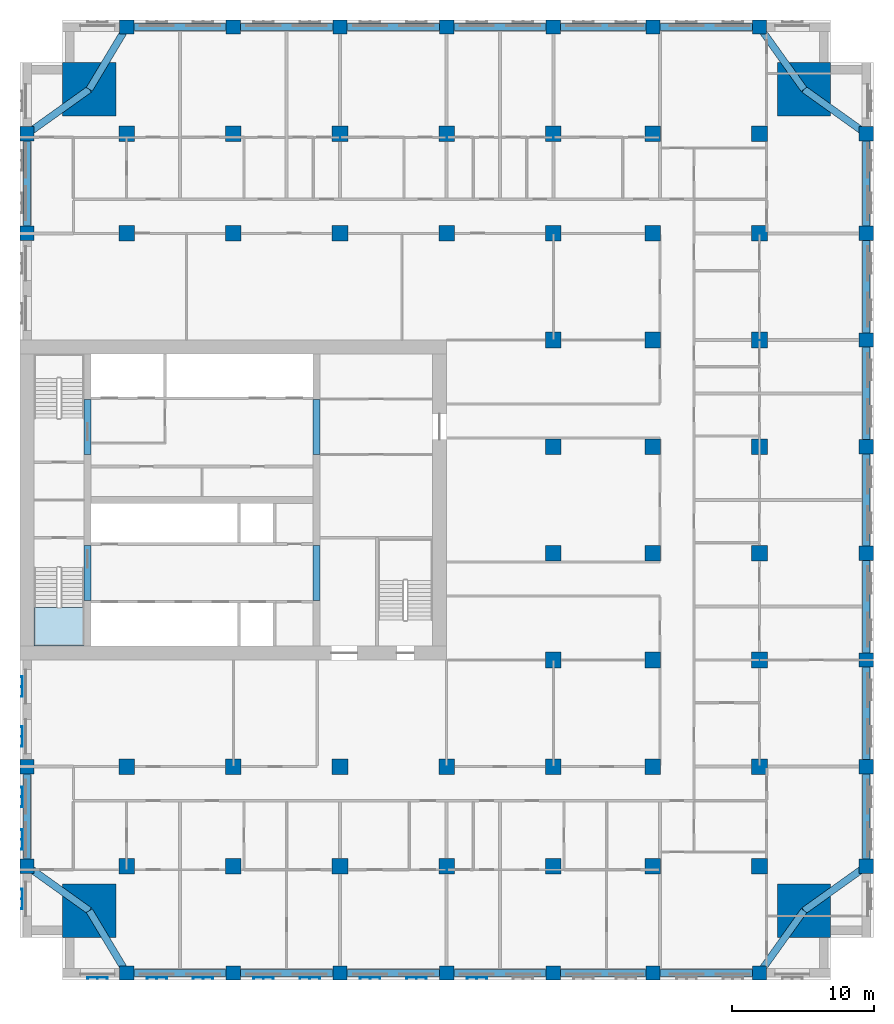
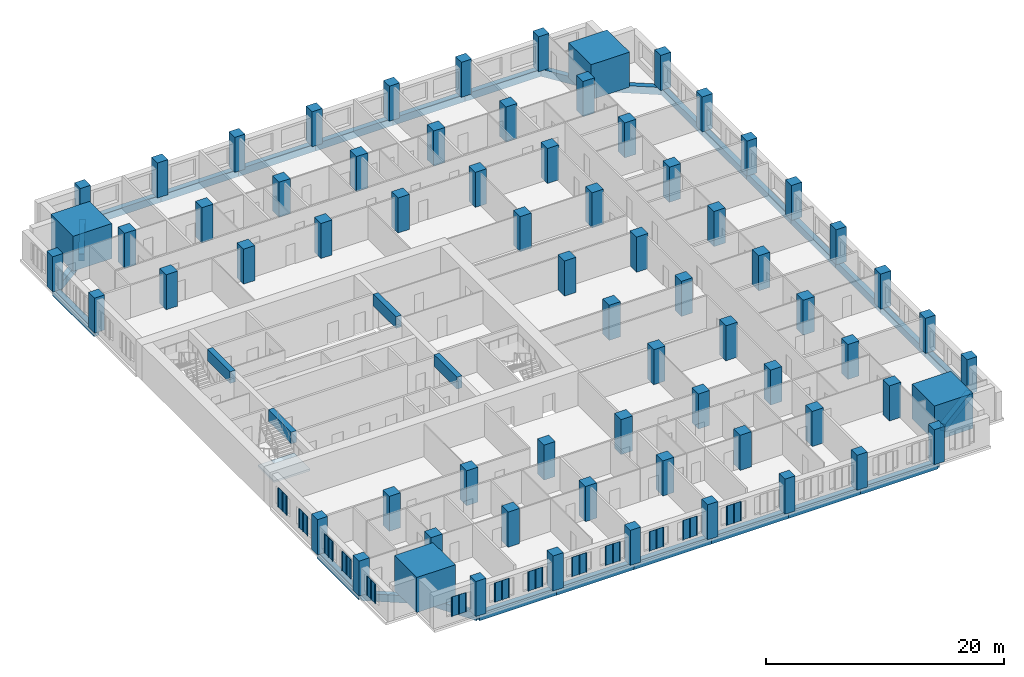
# One storey, part 1 of 14: 70 columns, 33 beams, 13 plates, 1 slab, 1 element without a shape of its own.
"""IFC4 building model written with IfcOpenShell, lengths in metres."""

import ifcopenshell
import ifcopenshell.guid

model = None  # the IFC model being written
_history = None  # IfcOwnerHistory: only IFC2X3 demands one
_inside = {}  # id of a spatial element -> (the spatial element, [elements in it])
_under = {}  # id of a project, library or spatial element -> (it, [spatial elements below it])
_declared = {}  # id of a project -> (the project, [libraries it declares])
_typed = {}  # id of a type object -> (the type object, [elements of that type])
_made_of = {}  # id of a material, layer set ... -> (it, [elements and type objects made of it])


def new_model(schema):
    """Start an empty IFC model of exactly this schema.

    Asked for "IFC4X3", IfcOpenShell would pick the latest addendum, in which some entities
    have other attributes; the version numbers below select the first issue.
    IFC2X3 requires an IfcOwnerHistory on every rooted entity: one is made here for all.
    """
    global model, _history
    if schema == "IFC4X3":
        model = ifcopenshell.file(schema_version=(4, 3, 0, 0))
    else:
        model = ifcopenshell.file(schema=schema)
    _inside.clear()
    _under.clear()
    _declared.clear()
    _typed.clear()
    _made_of.clear()
    _history = None
    if model.schema == "IFC2X3":
        org = make("IfcOrganization", Name="unknown")
        user = make(
            "IfcPersonAndOrganization",
            ThePerson=make("IfcPerson", FamilyName="unknown"),
            TheOrganization=org,
        )
        app = make(
            "IfcApplication",
            ApplicationDeveloper=org,
            Version="unknown",
            ApplicationFullName="unknown",
            ApplicationIdentifier="unknown",
        )
        _history = make(
            "IfcOwnerHistory",
            OwningUser=user,
            OwningApplication=app,
            ChangeAction="ADDED",
            CreationDate=0,
        )
    return model


def make(cls, **values):
    """One entity of the class cls with the attributes given. An attribute that is None is left unset."""
    return model.create_entity(
        cls, **{name: value for name, value in values.items() if value is not None}
    )


def rooted(cls, **values):
    """An entity with a GlobalId (a new one), such as an element, a storey or a relation."""
    return make(cls, GlobalId=ifcopenshell.guid.new(), OwnerHistory=_history, **values)


def si_unit(unit_type, name, prefix=None):
    """IfcSIUnit, for example si_unit("LENGTHUNIT", "METRE", prefix="MILLI")."""
    return make("IfcSIUnit", UnitType=unit_type, Prefix=prefix, Name=name)


def assignment(units):
    """IfcUnitAssignment: the units of a project."""
    return None if units is None else make("IfcUnitAssignment", Units=units)


def point(xyz):
    """IfcCartesianPoint."""
    return None if xyz is None else make("IfcCartesianPoint", Coordinates=xyz)


def direction(xyz):
    """IfcDirection."""
    return None if xyz is None else make("IfcDirection", DirectionRatios=xyz)


def frame(location, z_axis=None, x_axis=None):
    """IfcAxis2Placement3D, a coordinate frame: its origin and axes. An axis left out is left unset."""
    return make(
        "IfcAxis2Placement3D",
        Location=point(location),
        Axis=direction(z_axis),
        RefDirection=direction(x_axis),
    )


def frame_2d(location, x_axis=None):
    """IfcAxis2Placement2D, a coordinate frame in the plane: its origin and x axis."""
    return make(
        "IfcAxis2Placement2D", Location=point(location), RefDirection=direction(x_axis)
    )


def origin():
    """The frame at (0, 0, 0) with its axes left unset."""
    return frame((0.0, 0.0, 0.0))


def origin_2d():
    """The frame at (0, 0) in the plane with its x axis left unset."""
    return frame_2d((0.0, 0.0))


def place(relative_to, where):
    """IfcLocalPlacement: puts the frame where relative to a parent placement (None: the world)."""
    return make(
        "IfcLocalPlacement", PlacementRelTo=relative_to, RelativePlacement=where
    )


def context(
    kind, dimensions, precision=None, world=None, true_north=None, identifier=None
):
    """IfcGeometricRepresentationContext, for example the 3D "Model" context."""
    return make(
        "IfcGeometricRepresentationContext",
        ContextIdentifier=identifier,
        ContextType=kind,
        CoordinateSpaceDimension=dimensions,
        Precision=precision,
        WorldCoordinateSystem=world,
        TrueNorth=true_north,
    )


def subcontext(parent, identifier, kind, view, scale=None):
    """IfcGeometricRepresentationSubContext, for example "Body" below "Model"."""
    return make(
        "IfcGeometricRepresentationSubContext",
        ContextIdentifier=identifier,
        ContextType=kind,
        ParentContext=parent,
        TargetScale=scale,
        TargetView=view,
    )


def project(units=None, contexts=None):
    """IfcProject with its units and contexts."""
    return rooted(
        "IfcProject",
        Name="project",
        RepresentationContexts=contexts,
        UnitsInContext=assignment(units),
    )


def spatial(cls, under=None, at=None, **own):
    """A site, building, storey or space (cls), placed at a placement, below another one or the project."""
    s = rooted(cls, ObjectPlacement=at, **own)
    if under is not None:
        _under.setdefault(under.id(), (under, []))[1].append(s)
    return s


def polyline(points):
    """IfcPolyline through the points."""
    return make("IfcPolyline", Points=[point(p) for p in points])


def profile(cls, at=None, kind="AREA", **sizes):
    """A parametric profile (cls). Its sizes go by their IFC names, for example OverallWidth=200.0."""
    return make(cls, ProfileType=kind, Position=at, **sizes)


def rectangle(**sizes):
    """IfcRectangleProfileDef."""
    return profile("IfcRectangleProfileDef", **sizes)


def outline(outer, holes=None, kind="AREA"):
    """IfcArbitraryClosedProfileDef: a profile drawn as a closed curve; with holes, ...WithVoids."""
    if holes is None:
        return make("IfcArbitraryClosedProfileDef", ProfileType=kind, OuterCurve=outer)
    return make(
        "IfcArbitraryProfileDefWithVoids",
        ProfileType=kind,
        OuterCurve=outer,
        InnerCurves=holes,
    )


def extrude(swept, where, along, depth):
    """IfcExtrudedAreaSolid: the profile swept, set in the frame where, extruded along a direction by depth."""
    return make(
        "IfcExtrudedAreaSolid",
        SweptArea=swept,
        Position=where,
        ExtrudedDirection=direction(along),
        Depth=depth,
    )


def shape(context_of_items, identifier, shape_type, items):
    """IfcShapeRepresentation: the items that make up one representation, for example the "Body"."""
    return make(
        "IfcShapeRepresentation",
        ContextOfItems=context_of_items,
        RepresentationIdentifier=identifier,
        RepresentationType=shape_type,
        Items=items,
    )


def material(Name=None, Category=None):
    """IfcMaterial."""
    return make("IfcMaterial", Name=Name, Category=Category)


def layer(
    of_material, thickness, ventilated=None, Name=None, Category=None, Priority=None
):
    """IfcMaterialLayer: one layer of a wall or slab, of a material (None: an air gap)."""
    return make(
        "IfcMaterialLayer",
        Material=of_material,
        LayerThickness=thickness,
        IsVentilated=ventilated,
        Name=Name,
        Category=Category,
        Priority=Priority,
    )


def layer_set(layers, Name=None):
    """IfcMaterialLayerSet."""
    return make("IfcMaterialLayerSet", MaterialLayers=layers, LayerSetName=Name)


def material_profile(
    of_material, cross_section, Name=None, Category=None, Priority=None
):
    """IfcMaterialProfile: a cross section and its material."""
    return make(
        "IfcMaterialProfile",
        Name=Name,
        Material=of_material,
        Profile=cross_section,
        Priority=Priority,
        Category=Category,
    )


def profile_set(profiles, Name=None, composite=None):
    """IfcMaterialProfileSet."""
    return make(
        "IfcMaterialProfileSet",
        Name=Name,
        MaterialProfiles=profiles,
        CompositeProfile=composite,
    )


def made_of(thing, what):
    """Note that an element or type object is made of a material, layer set ...; save() writes the relation."""
    if what is not None:
        _made_of.setdefault(what.id(), (what, []))[1].append(thing)
    return thing


def type_object(cls, material=None, **own):
    """A type object (cls), such as IfcWallType, which elements share."""
    return made_of(rooted(cls, **own), material)


def element(
    cls,
    number,
    at=None,
    inside=None,
    cuts=None,
    type_object=None,
    material=None,
    context=None,
    identifier="Body",
    shape_type=None,
    held_by="IfcProductDefinitionShape",
    body=None,
    shapes=None,
    **own,
):
    """One element of the class cls, such as IfcWall. Its Tag is "e" and its number.

    at: its placement. inside: the storey or other place that contains it. cuts: it is an
    opening in that element (IfcRelVoidsElement). A single representation is given by context,
    identifier, shape_type and body (its items); several are given by shapes. held_by: the class
    of the entity that holds the representations. save() writes the other relations.
    """
    e = rooted(cls, Tag="e%d" % number, ObjectPlacement=at, **own)
    if body is not None:
        shapes = [shape(context, identifier, shape_type, body)]
    if shapes is not None:
        e.Representation = make(held_by, Representations=shapes)
    if inside is not None:
        _inside.setdefault(inside.id(), (inside, []))[1].append(e)
    if cuts is not None:
        rooted(
            "IfcRelVoidsElement", RelatingBuildingElement=cuts, RelatedOpeningElement=e
        )
    if type_object is not None:
        _typed.setdefault(type_object.id(), (type_object, []))[1].append(e)
    return made_of(e, material)


def aggregate(whole, parts):
    """IfcRelAggregates: a whole, such as a stair, and the parts it consists of."""
    return rooted("IfcRelAggregates", RelatingObject=whole, RelatedObjects=parts)


def save(model, path):
    """Write the relations noted so far, then the file.

    IfcRelAggregates (storeys below a building ...), IfcRelContainedInSpatialStructure (elements
    in a storey), IfcRelDefinesByType, IfcRelAssociatesMaterial and IfcRelDeclares: one each for
    every whole, place, type object, material and project.
    """
    for whole, parts in _under.values():
        aggregate(whole, parts)
    for where, things in _inside.values():
        rooted(
            "IfcRelContainedInSpatialStructure",
            RelatedElements=things,
            RelatingStructure=where,
        )
    for kind, things in _typed.values():
        rooted("IfcRelDefinesByType", RelatedObjects=things, RelatingType=kind)
    for what, things in _made_of.values():
        rooted("IfcRelAssociatesMaterial", RelatedObjects=things, RelatingMaterial=what)
    for by, libraries in _declared.values():
        rooted("IfcRelDeclares", RelatingContext=by, RelatedDefinitions=libraries)
    model.write(path)


model = new_model("IFC4")

# Units and contexts
model_context = context("Model", 3, precision=1e-05, world=origin(), true_north=direction((0.0, 1.0)))
body_context = subcontext(model_context, "Body", "Model", "MODEL_VIEW")
ifc_project = project(units=[si_unit("LENGTHUNIT", "METRE"), si_unit("AREAUNIT", "SQUARE_METRE"), si_unit("VOLUMEUNIT", "CUBIC_METRE"), si_unit("PLANEANGLEUNIT", "RADIAN"), si_unit("MASSUNIT", "GRAM", prefix="KILO")], contexts=[model_context])

# Site, building, storey
site_placement = place(None, origin())
site = spatial("IfcSite", under=ifc_project, at=site_placement, CompositionType="ELEMENT")
building_placement = place(site_placement, origin())
building = spatial("IfcBuilding", under=site, at=building_placement, Name="Tamorin Gate", CompositionType="ELEMENT")
storey_placement = place(building_placement, frame((0.0, 0.0, 93.5)))
storey = spatial("IfcBuildingStorey", under=building, at=storey_placement, Name="L22", CompositionType="ELEMENT", Elevation=93.5)

# Columns
ifc_material_1 = material(Name="Concrete C80/95", Category="concrete")
ifc_material_profile_1 = material_profile(ifc_material_1, rectangle(XDim=1.0, YDim=1.0, at=origin_2d()), Name="RC 1000x1000")
ifc_profile_set_1 = profile_set([ifc_material_profile_1], Name="Concrete C80/95")
column_type_1 = type_object("IfcColumnType", Name="RC column 1000x1000 C80/95", PredefinedType="COLUMN", material=ifc_profile_set_1)
for number, where, z_axis, x_axis, name in (
    (1, (30.5, 45.5, 0.0), (0.0, 0.0, 1.0), (1.0, 0.0, 0.0), "Ring column L22"),
    (2, (30.5, 52.5, 0.0), (0.0, 0.0, 1.0), (1.0, 0.0, 0.0), "Ring column L22"),
    (3, (30.5, 90.0, 0.0), (0.0, 0.0, 1.0), (1.0, 0.0, 0.0), "Ring column L22"),
    (4, (30.5, 97.0, 0.0), (0.0, 0.0, 1.0), (1.0, 0.0, 0.0), "Ring column L22"),
    (5, (37.5, 38.0, 0.0), (0.0, 0.0, 1.0), (1.0, 0.0, 0.0), "Ring column L22"),
    (6, (37.5, 104.5, 0.0), (0.0, 0.0, 1.0), (1.0, 0.0, 0.0), "Ring column L22"),
    (7, (45.0, 38.0, 0.0), (0.0, 0.0, 1.0), (1.0, 0.0, 0.0), "Ring column L22"),
    (8, (45.0, 104.5, 0.0), (0.0, 0.0, 1.0), (1.0, 0.0, 0.0), "Ring column L22"),
    (9, (52.5, 38.0, 0.0), (0.0, 0.0, 1.0), (1.0, 0.0, 0.0), "Ring column L22"),
    (10, (52.5, 104.5, 0.0), (0.0, 0.0, 1.0), (1.0, 0.0, 0.0), "Ring column L22"),
    (11, (60.0, 38.0, 0.0), (0.0, 0.0, 1.0), (1.0, 0.0, 0.0), "Ring column L22"),
    (12, (60.0, 104.5, 0.0), (0.0, 0.0, 1.0), (1.0, 0.0, 0.0), "Ring column L22"),
    (13, (67.5, 38.0, 0.0), (0.0, 0.0, 1.0), (1.0, 0.0, 0.0), "Ring column L22"),
    (14, (67.5, 104.5, 0.0), (0.0, 0.0, 1.0), (1.0, 0.0, 0.0), "Ring column L22"),
    (15, (74.5, 38.0, 0.0), (0.0, 0.0, 1.0), (1.0, 0.0, 0.0), "Ring column L22"),
    (16, (74.5, 104.5, 0.0), (0.0, 0.0, 1.0), (1.0, 0.0, 0.0), "Ring column L22"),
    (17, (82.0, 38.0, 0.0), (0.0, 0.0, 1.0), (1.0, 0.0, 0.0), "Ring column L22"),
    (18, (82.0, 104.5, 0.0), (0.0, 0.0, 1.0), (1.0, 0.0, 0.0), "Ring column L22"),
    (19, (89.5, 45.5, 0.0), (0.0, 0.0, 1.0), (1.0, 0.0, 0.0), "Ring column L22"),
    (20, (89.5, 52.5, 0.0), (0.0, 0.0, 1.0), (1.0, 0.0, 0.0), "Ring column L22"),
    (21, (89.5, 60.0, 0.0), (0.0, 0.0, 1.0), (1.0, 0.0, 0.0), "Ring column L22"),
    (22, (89.5, 67.5, 0.0), (0.0, 0.0, 1.0), (1.0, 0.0, 0.0), "Ring column L22"),
    (23, (89.5, 75.0, 0.0), (0.0, 0.0, 1.0), (1.0, 0.0, 0.0), "Ring column L22"),
    (24, (89.5, 82.5, 0.0), (0.0, 0.0, 1.0), (1.0, 0.0, 0.0), "Ring column L22"),
    (25, (89.5, 90.0, 0.0), (0.0, 0.0, 1.0), (1.0, 0.0, 0.0), "Ring column L22"),
    (26, (89.5, 97.0, 0.0), (0.0, 0.0, 1.0), (1.0, 0.0, 0.0), "Ring column L22"),
):
    element("IfcColumn", number, at=place(storey_placement, frame(where, z_axis=z_axis, x_axis=x_axis)), inside=storey, type_object=column_type_1, Name=name, PredefinedType="COLUMN", context=body_context, shape_type="SweptSolid", body=[
        extrude(rectangle(XDim=1.0, YDim=1.0, at=origin_2d()), origin(), (0.0, 0.0, 1.0), 3.60009765625),
    ])
ifc_material_profile_2 = material_profile(ifc_material_1, rectangle(XDim=1.10009765625, YDim=1.10009765625, at=origin_2d()), Name="RC 1100x1100")
ifc_profile_set_2 = profile_set([ifc_material_profile_2], Name="Concrete C80/95")
column_type_2 = type_object("IfcColumnType", Name="RC column 1100x1100 C80/95", PredefinedType="COLUMN", material=ifc_profile_set_2)
for number, where, z_axis, x_axis, name in (
    (27, (37.5, 45.5, 0.0), (0.0, 0.0, 1.0), (1.0, 0.0, 0.0), "Interior column L22"),
    (28, (37.5, 52.5, 0.0), (0.0, 0.0, 1.0), (1.0, 0.0, 0.0), "Interior column L22"),
    (29, (37.5, 90.0, 0.0), (0.0, 0.0, 1.0), (1.0, 0.0, 0.0), "Interior column L22"),
    (30, (37.5, 97.0, 0.0), (0.0, 0.0, 1.0), (1.0, 0.0, 0.0), "Interior column L22"),
    (31, (45.0, 45.5, 0.0), (0.0, 0.0, 1.0), (1.0, 0.0, 0.0), "Interior column L22"),
    (32, (45.0, 52.5, 0.0), (0.0, 0.0, 1.0), (1.0, 0.0, 0.0), "Interior column L22"),
    (33, (45.0, 90.0, 0.0), (0.0, 0.0, 1.0), (1.0, 0.0, 0.0), "Interior column L22"),
    (34, (45.0, 97.0, 0.0), (0.0, 0.0, 1.0), (1.0, 0.0, 0.0), "Interior column L22"),
    (35, (52.5, 45.5, 0.0), (0.0, 0.0, 1.0), (1.0, 0.0, 0.0), "Interior column L22"),
    (36, (52.5, 52.5, 0.0), (0.0, 0.0, 1.0), (1.0, 0.0, 0.0), "Interior column L22"),
    (37, (52.5, 90.0, 0.0), (0.0, 0.0, 1.0), (1.0, 0.0, 0.0), "Interior column L22"),
    (38, (52.5, 97.0, 0.0), (0.0, 0.0, 1.0), (1.0, 0.0, 0.0), "Interior column L22"),
    (39, (60.0, 45.5, 0.0), (0.0, 0.0, 1.0), (1.0, 0.0, 0.0), "Interior column L22"),
    (40, (60.0, 52.5, 0.0), (0.0, 0.0, 1.0), (1.0, 0.0, 0.0), "Interior column L22"),
    (41, (60.0, 90.0, 0.0), (0.0, 0.0, 1.0), (1.0, 0.0, 0.0), "Interior column L22"),
    (42, (60.0, 97.0, 0.0), (0.0, 0.0, 1.0), (1.0, 0.0, 0.0), "Interior column L22"),
    (43, (67.5, 45.5, 0.0), (0.0, 0.0, 1.0), (1.0, 0.0, 0.0), "Interior column L22"),
    (44, (67.5, 52.5, 0.0), (0.0, 0.0, 1.0), (1.0, 0.0, 0.0), "Interior column L22"),
    (45, (67.5, 60.0, 0.0), (0.0, 0.0, 1.0), (1.0, 0.0, 0.0), "Interior column L22"),
    (46, (67.5, 67.5, 0.0), (0.0, 0.0, 1.0), (1.0, 0.0, 0.0), "Interior column L22"),
    (47, (67.5, 75.0, 0.0), (0.0, 0.0, 1.0), (1.0, 0.0, 0.0), "Interior column L22"),
    (48, (67.5, 82.5, 0.0), (0.0, 0.0, 1.0), (1.0, 0.0, 0.0), "Interior column L22"),
    (49, (67.5, 90.0, 0.0), (0.0, 0.0, 1.0), (1.0, 0.0, 0.0), "Interior column L22"),
    (50, (67.5, 97.0, 0.0), (0.0, 0.0, 1.0), (1.0, 0.0, 0.0), "Interior column L22"),
    (51, (74.5, 45.5, 0.0), (0.0, 0.0, 1.0), (1.0, 0.0, 0.0), "Interior column L22"),
    (52, (74.5, 52.5, 0.0), (0.0, 0.0, 1.0), (1.0, 0.0, 0.0), "Interior column L22"),
    (53, (74.5, 60.0, 0.0), (0.0, 0.0, 1.0), (1.0, 0.0, 0.0), "Interior column L22"),
    (54, (74.5, 67.5, 0.0), (0.0, 0.0, 1.0), (1.0, 0.0, 0.0), "Interior column L22"),
    (55, (74.5, 75.0, 0.0), (0.0, 0.0, 1.0), (1.0, 0.0, 0.0), "Interior column L22"),
    (56, (74.5, 82.5, 0.0), (0.0, 0.0, 1.0), (1.0, 0.0, 0.0), "Interior column L22"),
    (57, (74.5, 90.0, 0.0), (0.0, 0.0, 1.0), (1.0, 0.0, 0.0), "Interior column L22"),
    (58, (74.5, 97.0, 0.0), (0.0, 0.0, 1.0), (1.0, 0.0, 0.0), "Interior column L22"),
    (59, (82.0, 45.5, 0.0), (0.0, 0.0, 1.0), (1.0, 0.0, 0.0), "Interior column L22"),
    (60, (82.0, 52.5, 0.0), (0.0, 0.0, 1.0), (1.0, 0.0, 0.0), "Interior column L22"),
    (61, (82.0, 60.0, 0.0), (0.0, 0.0, 1.0), (1.0, 0.0, 0.0), "Interior column L22"),
    (62, (82.0, 67.5, 0.0), (0.0, 0.0, 1.0), (1.0, 0.0, 0.0), "Interior column L22"),
    (63, (82.0, 75.0, 0.0), (0.0, 0.0, 1.0), (1.0, 0.0, 0.0), "Interior column L22"),
    (64, (82.0, 82.5, 0.0), (0.0, 0.0, 1.0), (1.0, 0.0, 0.0), "Interior column L22"),
    (65, (82.0, 90.0, 0.0), (0.0, 0.0, 1.0), (1.0, 0.0, 0.0), "Interior column L22"),
    (66, (82.0, 97.0, 0.0), (0.0, 0.0, 1.0), (1.0, 0.0, 0.0), "Interior column L22"),
):
    element("IfcColumn", number, at=place(storey_placement, frame(where, z_axis=z_axis, x_axis=x_axis)), inside=storey, type_object=column_type_2, Name=name, PredefinedType="COLUMN", context=body_context, shape_type="SweptSolid", body=[
        extrude(rectangle(XDim=1.10009765625, YDim=1.10009765625, at=origin_2d()), origin(), (0.0, 0.0, 1.0), 3.60009765625),
    ])
ifc_material_profile_3 = material_profile(ifc_material_1, rectangle(XDim=3.75, YDim=3.75, at=origin_2d()), Name="RC 3750x3750")
ifc_profile_set_3 = profile_set([ifc_material_profile_3], Name="Concrete C80/95")
column_type_3 = type_object("IfcColumnType", Name="RC column 3750x3750 C80/95", PredefinedType="COLUMN", material=ifc_profile_set_3)
for number, where, z_axis, x_axis, name in (
    (67, (34.875, 42.375, 0.0), (0.0, 0.0, 1.0), (1.0, 0.0, 0.0), "Mega column SW L22"),
    (68, (85.125, 42.375, 0.0), (0.0, 0.0, 1.0), (1.0, 0.0, 0.0), "Mega column SE L22"),
    (69, (34.875, 100.125, 0.0), (0.0, 0.0, 1.0), (1.0, 0.0, 0.0), "Mega column NW L22"),
    (70, (85.125, 100.125, 0.0), (0.0, 0.0, 1.0), (1.0, 0.0, 0.0), "Mega column NE L22"),
):
    element("IfcColumn", number, at=place(storey_placement, frame(where, z_axis=z_axis, x_axis=x_axis)), inside=storey, type_object=column_type_3, Name=name, PredefinedType="COLUMN", context=body_context, shape_type="SweptSolid", body=[
        extrude(rectangle(XDim=3.75, YDim=3.75, at=origin_2d()), origin(), (0.0, 0.0, 1.0), 3.60009765625),
    ])

# Beams
ifc_material_profile_4 = material_profile(ifc_material_1, rectangle(XDim=0.5, YDim=1.199951171875, at=origin_2d()), Name="RC 500x1200")
ifc_profile_set_4 = profile_set([ifc_material_profile_4], Name="Concrete C80/95")
beam_type_1 = type_object("IfcBeamType", Name="RC coupling beam 500x1200 C80/95", PredefinedType="BEAM", material=ifc_profile_set_4)
for number, where, z_axis, x_axis, name in (
    (71, (34.75, 64.199951171875, 3.0), (0.0, 1.0, 0.0), (-1.0, 0.0, 0.0), "Coupling beam L22"),
    (72, (34.75, 74.449951171875, 3.0), (0.0, 1.0, 0.0), (-1.0, 0.0, 0.0), "Coupling beam L22"),
    (73, (50.85009765625, 64.199951171875, 3.0), (0.0, 1.0, 0.0), (-1.0, 0.0, 0.0), "Coupling beam L22"),
    (74, (50.85009765625, 74.449951171875, 3.0), (0.0, 1.0, 0.0), (-1.0, 0.0, 0.0), "Coupling beam L22"),
):
    element("IfcBeam", number, at=place(storey_placement, frame(where, z_axis=z_axis, x_axis=x_axis)), inside=storey, type_object=beam_type_1, Name=name, PredefinedType="BEAM", context=body_context, shape_type="SweptSolid", body=[
        extrude(rectangle(XDim=0.5, YDim=1.199951171875, at=origin_2d()), origin(), (0.0, 0.0, 1.0), 3.85009765625),
    ])
ifc_material_2 = material(Name="Concrete C50/60", Category="concrete")
ifc_material_profile_5 = material_profile(ifc_material_2, rectangle(XDim=0.5, YDim=0.75, at=origin_2d()), Name="RC 500x750")
ifc_profile_set_5 = profile_set([ifc_material_profile_5], Name="Concrete C50/60")
beam_type_2 = type_object("IfcBeamType", Name="RC spandrel 500x750 C50/60", PredefinedType="BEAM", material=ifc_profile_set_5)
for number, where, z_axis, x_axis, name in (
    (75, (37.5, 38.0, -0.375), (1.0, 0.0, 0.0), (0.0, 1.0, 0.0), "Spandrel beam L22"),
    (76, (45.0, 38.0, -0.375), (1.0, 0.0, 0.0), (0.0, 1.0, 0.0), "Spandrel beam L22"),
    (77, (52.5, 38.0, -0.375), (1.0, 0.0, 0.0), (0.0, 1.0, 0.0), "Spandrel beam L22"),
    (78, (60.0, 38.0, -0.375), (1.0, 0.0, 0.0), (0.0, 1.0, 0.0), "Spandrel beam L22"),
):
    element("IfcBeam", number, at=place(storey_placement, frame(where, z_axis=z_axis, x_axis=x_axis)), inside=storey, type_object=beam_type_2, Name=name, PredefinedType="BEAM", context=body_context, shape_type="SweptSolid", body=[
        extrude(rectangle(XDim=0.5, YDim=0.75, at=origin_2d()), origin(), (0.0, 0.0, 1.0), 7.5),
    ])
beam_1_placement = place(storey_placement, frame((67.5, 38.0, -0.375), z_axis=(1.0, 0.0, 0.0), x_axis=(0.0, 1.0, 0.0)))
element("IfcBeam", 79, at=beam_1_placement, inside=storey, type_object=beam_type_2, Name="Spandrel beam L22", PredefinedType="BEAM", context=body_context, shape_type="SweptSolid", body=[
    extrude(rectangle(XDim=0.5, YDim=0.75, at=origin_2d()), origin(), (0.0, 0.0, 1.0), 7.0),
])
beam_2_placement = place(storey_placement, frame((74.5, 38.0, -0.375), z_axis=(1.0, 0.0, 0.0), x_axis=(0.0, 1.0, 0.0)))
element("IfcBeam", 80, at=beam_2_placement, inside=storey, type_object=beam_type_2, Name="Spandrel beam L22", PredefinedType="BEAM", context=body_context, shape_type="SweptSolid", body=[
    extrude(rectangle(XDim=0.5, YDim=0.75, at=origin_2d()), origin(), (0.0, 0.0, 1.0), 7.5),
])
beam_3_placement = place(storey_placement, frame((89.5, 45.5, -0.375), z_axis=(0.0, 1.0, 0.0), x_axis=(-1.0, 0.0, 0.0)))
element("IfcBeam", 81, at=beam_3_placement, inside=storey, type_object=beam_type_2, Name="Spandrel beam L22", PredefinedType="BEAM", context=body_context, shape_type="SweptSolid", body=[
    extrude(rectangle(XDim=0.5, YDim=0.75, at=origin_2d()), origin(), (0.0, 0.0, 1.0), 7.0),
])
for number, where, z_axis, x_axis, name in (
    (82, (89.5, 52.5, -0.375), (0.0, 1.0, 0.0), (-1.0, 0.0, 0.0), "Spandrel beam L22"),
    (83, (89.5, 60.0, -0.375), (0.0, 1.0, 0.0), (-1.0, 0.0, 0.0), "Spandrel beam L22"),
    (84, (89.5, 67.5, -0.375), (0.0, 1.0, 0.0), (-1.0, 0.0, 0.0), "Spandrel beam L22"),
    (85, (89.5, 75.0, -0.375), (0.0, 1.0, 0.0), (-1.0, 0.0, 0.0), "Spandrel beam L22"),
    (86, (89.5, 82.5, -0.375), (0.0, 1.0, 0.0), (-1.0, 0.0, 0.0), "Spandrel beam L22"),
):
    element("IfcBeam", number, at=place(storey_placement, frame(where, z_axis=z_axis, x_axis=x_axis)), inside=storey, type_object=beam_type_2, Name=name, PredefinedType="BEAM", context=body_context, shape_type="SweptSolid", body=[
        extrude(rectangle(XDim=0.5, YDim=0.75, at=origin_2d()), origin(), (0.0, 0.0, 1.0), 7.5),
    ])
beam_4_placement = place(storey_placement, frame((89.5, 90.0, -0.375), z_axis=(0.0, 1.0, 0.0), x_axis=(-1.0, 0.0, 0.0)))
element("IfcBeam", 87, at=beam_4_placement, inside=storey, type_object=beam_type_2, Name="Spandrel beam L22", PredefinedType="BEAM", context=body_context, shape_type="SweptSolid", body=[
    extrude(rectangle(XDim=0.5, YDim=0.75, at=origin_2d()), origin(), (0.0, 0.0, 1.0), 7.0),
])
beam_5_placement = place(storey_placement, frame((82.0, 104.5, -0.375), z_axis=(-1.0, 0.0, 0.0), x_axis=(0.0, -1.0, 0.0)))
element("IfcBeam", 88, at=beam_5_placement, inside=storey, type_object=beam_type_2, Name="Spandrel beam L22", PredefinedType="BEAM", context=body_context, shape_type="SweptSolid", body=[
    extrude(rectangle(XDim=0.5, YDim=0.75, at=origin_2d()), origin(), (0.0, 0.0, 1.0), 7.5),
])
beam_6_placement = place(storey_placement, frame((74.5, 104.5, -0.375), z_axis=(-1.0, 0.0, 0.0), x_axis=(0.0, -1.0, 0.0)))
element("IfcBeam", 89, at=beam_6_placement, inside=storey, type_object=beam_type_2, Name="Spandrel beam L22", PredefinedType="BEAM", context=body_context, shape_type="SweptSolid", body=[
    extrude(rectangle(XDim=0.5, YDim=0.75, at=origin_2d()), origin(), (0.0, 0.0, 1.0), 7.0),
])
for number, where, z_axis, x_axis, name in (
    (90, (67.5, 104.5, -0.375), (-1.0, 0.0, 0.0), (0.0, -1.0, 0.0), "Spandrel beam L22"),
    (91, (60.0, 104.5, -0.375), (-1.0, 0.0, 0.0), (0.0, -1.0, 0.0), "Spandrel beam L22"),
    (92, (52.5, 104.5, -0.375), (-1.0, 0.0, 0.0), (0.0, -1.0, 0.0), "Spandrel beam L22"),
    (93, (45.0, 104.5, -0.375), (-1.0, 0.0, 0.0), (0.0, -1.0, 0.0), "Spandrel beam L22"),
):
    element("IfcBeam", number, at=place(storey_placement, frame(where, z_axis=z_axis, x_axis=x_axis)), inside=storey, type_object=beam_type_2, Name=name, PredefinedType="BEAM", context=body_context, shape_type="SweptSolid", body=[
        extrude(rectangle(XDim=0.5, YDim=0.75, at=origin_2d()), origin(), (0.0, 0.0, 1.0), 7.5),
    ])
for number, where, z_axis, x_axis, name in (
    (94, (30.5, 97.0, -0.375), (0.0, -1.0, 0.0), (1.0, 0.0, 0.0), "Spandrel beam L22"),
    (95, (30.5, 52.5, -0.375), (0.0, -1.0, 0.0), (1.0, 0.0, 0.0), "Spandrel beam L22"),
):
    element("IfcBeam", number, at=place(storey_placement, frame(where, z_axis=z_axis, x_axis=x_axis)), inside=storey, type_object=beam_type_2, Name=name, PredefinedType="BEAM", context=body_context, shape_type="SweptSolid", body=[
        extrude(rectangle(XDim=0.5, YDim=0.75, at=origin_2d()), origin(), (0.0, 0.0, 1.0), 7.0),
    ])
beam_7_placement = place(storey_placement, frame((34.875, 42.375, -0.375), z_axis=(0.514495755428, -0.857492925713, 0.0), x_axis=(0.857492925713, 0.514495755428, 0.0)))
element("IfcBeam", 96, at=beam_7_placement, inside=storey, type_object=beam_type_2, Name="Corner tie beam L22", PredefinedType="BEAM", context=body_context, shape_type="SweptSolid", body=[
    extrude(rectangle(XDim=0.5, YDim=0.75, at=origin_2d()), origin(), (0.0, 0.0, 1.0), 5.10205078125),
])
for number, where, z_axis, x_axis, name in (
    (97, (34.875, 42.375, -0.375), (-0.813733471207, 0.581238193719, 0.0), (-0.581238193719, -0.813733471207, 0.0), "Corner tie beam L22"),
    (98, (85.125, 42.375, -0.375), (-0.581238193719, -0.813733471207, 0.0), (0.813733471207, -0.581238193719, 0.0), "Corner tie beam L22"),
    (99, (85.125, 42.375, -0.375), (0.813733471207, 0.581238193719, 0.0), (-0.581238193719, 0.813733471207, 0.0), "Corner tie beam L22"),
):
    element("IfcBeam", number, at=place(storey_placement, frame(where, z_axis=z_axis, x_axis=x_axis)), inside=storey, type_object=beam_type_2, Name=name, PredefinedType="BEAM", context=body_context, shape_type="SweptSolid", body=[
        extrude(rectangle(XDim=0.5, YDim=0.75, at=origin_2d()), origin(), (0.0, 0.0, 1.0), 5.37646484375),
    ])
beam_8_placement = place(storey_placement, frame((34.875, 100.125, -0.375), z_axis=(0.514495755428, 0.857492925713, 0.0), x_axis=(-0.857492925713, 0.514495755428, 0.0)))
element("IfcBeam", 100, at=beam_8_placement, inside=storey, type_object=beam_type_2, Name="Corner tie beam L22", PredefinedType="BEAM", context=body_context, shape_type="SweptSolid", body=[
    extrude(rectangle(XDim=0.5, YDim=0.75, at=origin_2d()), origin(), (0.0, 0.0, 1.0), 5.10205078125),
])
for number, where, z_axis, x_axis, name in (
    (101, (34.875, 100.125, -0.375), (-0.813733471207, -0.581238193719, 0.0), (0.581238193719, -0.813733471207, 0.0), "Corner tie beam L22"),
    (102, (85.125, 100.125, -0.375), (-0.581238193719, 0.813733471207, 0.0), (-0.813733471207, -0.581238193719, 0.0), "Corner tie beam L22"),
    (103, (85.125, 100.125, -0.375), (0.813733471207, -0.581238193719, 0.0), (0.581238193719, 0.813733471207, 0.0), "Corner tie beam L22"),
):
    element("IfcBeam", number, at=place(storey_placement, frame(where, z_axis=z_axis, x_axis=x_axis)), inside=storey, type_object=beam_type_2, Name=name, PredefinedType="BEAM", context=body_context, shape_type="SweptSolid", body=[
        extrude(rectangle(XDim=0.5, YDim=0.75, at=origin_2d()), origin(), (0.0, 0.0, 1.0), 5.37646484375),
    ])

# Stair, slab
ifc_material_3 = material(Name="Concrete C40/50", Category="concrete")
stair_type = type_object("IfcStairType", Name="Exit stair", PredefinedType="HALF_TURN_STAIR", material=ifc_material_3)
stair_placement = place(storey_placement, origin())
stair = element("IfcStair", 104, at=stair_placement, inside=storey, type_object=stair_type, Name="L22 stair ST1", PredefinedType="HALF_TURN_STAIR")
ifc_layer_1 = layer(ifc_material_3, 0.199951171875)
ifc_layer_set_1 = layer_set([ifc_layer_1], Name="Exit stair landing 200")
slab_type = type_object("IfcSlabType", Name="Exit stair landing 200", PredefinedType="LANDING", material=ifc_layer_set_1)
slab_placement = place(storey_placement, frame((0.0, 0.0, 1.60009765625)))
slab = element("IfcSlab", 105, at=slab_placement, type_object=slab_type, Name="ST1 landing 1", PredefinedType="LANDING", context=body_context, shape_type="SweptSolid", body=[
    extrude(outline(polyline([(31.0, 63.699951171875), (31.0, 61.0), (34.5, 61.0), (34.5, 63.699951171875), (31.0, 63.699951171875)])), origin(), (0.0, 0.0, 1.0), 0.199951171875),
])
aggregate(stair, [slab])

# Plates
ifc_material_4 = material(Name="Perforated pale aluminium sheet", Category="aluminium")
ifc_layer_2 = layer(ifc_material_4, 0.0400390625)
ifc_layer_set_2 = layer_set([ifc_layer_2], Name="Pale metal solar screen 1440")
plate_type = type_object("IfcPlateType", Name="Pale metal solar screen 1440", PredefinedType="SHEET", material=ifc_layer_set_2)
plate_1_placement = place(storey_placement, frame((0.0, 0.0, 0.7099609375)))
element("IfcPlate", 106, at=plate_1_placement, inside=storey, type_object=plate_type, Name="Perforated solar screen", PredefinedType="SHEET", context=body_context, shape_type="SweptSolid", body=[
    extrude(outline(polyline([(34.72998046875, 37.659912109375), (34.72998046875, 37.699951171875), (34.7900390625, 37.699951171875), (35.419921875, 37.699951171875), (35.47998046875, 37.699951171875), (36.110107421875, 37.699951171875), (36.169921875, 37.699951171875), (36.169921875, 37.659912109375), (36.169921875, 37.60009765625), (36.110107421875, 37.60009765625), (36.110107421875, 37.659912109375), (35.47998046875, 37.659912109375), (35.47998046875, 37.60009765625), (35.419921875, 37.60009765625), (35.419921875, 37.659912109375), (34.7900390625, 37.659912109375), (34.7900390625, 37.60009765625), (34.72998046875, 37.60009765625), (34.72998046875, 37.659912109375)])), origin(), (0.0, 0.0, 1.0), 1.97998046875),
])
plate_2_placement = place(storey_placement, frame((0.0, 0.0, 0.7099609375)))
element("IfcPlate", 107, at=plate_2_placement, inside=storey, type_object=plate_type, Name="Perforated solar screen", PredefinedType="SHEET", context=body_context, shape_type="SweptSolid", body=[
    extrude(outline(polyline([(38.905029296875, 37.659912109375), (38.905029296875, 37.699951171875), (38.965087890625, 37.699951171875), (39.594970703125, 37.699951171875), (39.655029296875, 37.699951171875), (40.284912109375, 37.699951171875), (40.344970703125, 37.699951171875), (40.344970703125, 37.699951171875), (40.344970703125, 37.659912109375), (40.344970703125, 37.659912109375), (40.344970703125, 37.60009765625), (40.284912109375, 37.60009765625), (40.284912109375, 37.659912109375), (39.655029296875, 37.659912109375), (39.655029296875, 37.60009765625), (39.594970703125, 37.60009765625), (39.594970703125, 37.659912109375), (38.965087890625, 37.659912109375), (38.965087890625, 37.60009765625), (38.905029296875, 37.60009765625), (38.905029296875, 37.659912109375)])), origin(), (0.0, 0.0, 1.0), 1.97998046875),
])
plate_3_placement = place(storey_placement, frame((0.0, 0.0, 0.7099609375)))
element("IfcPlate", 108, at=plate_3_placement, inside=storey, type_object=plate_type, Name="Perforated solar screen", PredefinedType="SHEET", context=body_context, shape_type="SweptSolid", body=[
    extrude(outline(polyline([(42.155029296875, 37.659912109375), (42.155029296875, 37.699951171875), (42.215087890625, 37.699951171875), (42.844970703125, 37.699951171875), (42.905029296875, 37.699951171875), (43.534912109375, 37.699951171875), (43.594970703125, 37.699951171875), (43.594970703125, 37.659912109375), (43.594970703125, 37.60009765625), (43.534912109375, 37.60009765625), (43.534912109375, 37.659912109375), (42.905029296875, 37.659912109375), (42.905029296875, 37.60009765625), (42.844970703125, 37.60009765625), (42.844970703125, 37.659912109375), (42.215087890625, 37.659912109375), (42.215087890625, 37.60009765625), (42.155029296875, 37.60009765625), (42.155029296875, 37.659912109375)])), origin(), (0.0, 0.0, 1.0), 1.97998046875),
])
plate_4_placement = place(storey_placement, frame((0.0, 0.0, 0.7099609375)))
element("IfcPlate", 109, at=plate_4_placement, inside=storey, type_object=plate_type, Name="Perforated solar screen", PredefinedType="SHEET", context=body_context, shape_type="SweptSolid", body=[
    extrude(outline(polyline([(46.405029296875, 37.659912109375), (46.405029296875, 37.699951171875), (46.465087890625, 37.699951171875), (47.094970703125, 37.699951171875), (47.155029296875, 37.699951171875), (47.784912109375, 37.699951171875), (47.844970703125, 37.699951171875), (47.844970703125, 37.659912109375), (47.844970703125, 37.60009765625), (47.784912109375, 37.60009765625), (47.784912109375, 37.659912109375), (47.155029296875, 37.659912109375), (47.155029296875, 37.60009765625), (47.094970703125, 37.60009765625), (47.094970703125, 37.659912109375), (46.465087890625, 37.659912109375), (46.465087890625, 37.60009765625), (46.405029296875, 37.60009765625), (46.405029296875, 37.659912109375)])), origin(), (0.0, 0.0, 1.0), 1.97998046875),
])
plate_5_placement = place(storey_placement, frame((0.0, 0.0, 0.7099609375)))
element("IfcPlate", 110, at=plate_5_placement, inside=storey, type_object=plate_type, Name="Perforated solar screen", PredefinedType="SHEET", context=body_context, shape_type="SweptSolid", body=[
    extrude(outline(polyline([(49.655029296875, 37.659912109375), (49.655029296875, 37.699951171875), (49.715087890625, 37.699951171875), (50.344970703125, 37.699951171875), (50.405029296875, 37.699951171875), (51.034912109375, 37.699951171875), (51.094970703125, 37.699951171875), (51.094970703125, 37.659912109375), (51.094970703125, 37.60009765625), (51.034912109375, 37.60009765625), (51.034912109375, 37.659912109375), (50.405029296875, 37.659912109375), (50.405029296875, 37.60009765625), (50.344970703125, 37.60009765625), (50.344970703125, 37.659912109375), (49.715087890625, 37.659912109375), (49.715087890625, 37.60009765625), (49.655029296875, 37.60009765625), (49.655029296875, 37.659912109375)])), origin(), (0.0, 0.0, 1.0), 1.97998046875),
])
plate_6_placement = place(storey_placement, frame((0.0, 0.0, 0.7099609375)))
element("IfcPlate", 111, at=plate_6_placement, inside=storey, type_object=plate_type, Name="Perforated solar screen", PredefinedType="SHEET", context=body_context, shape_type="SweptSolid", body=[
    extrude(outline(polyline([(53.905029296875, 37.659912109375), (53.905029296875, 37.699951171875), (53.965087890625, 37.699951171875), (54.594970703125, 37.699951171875), (54.655029296875, 37.699951171875), (55.284912109375, 37.699951171875), (55.344970703125, 37.699951171875), (55.344970703125, 37.659912109375), (55.344970703125, 37.60009765625), (55.284912109375, 37.60009765625), (55.284912109375, 37.659912109375), (54.655029296875, 37.659912109375), (54.655029296875, 37.60009765625), (54.594970703125, 37.60009765625), (54.594970703125, 37.659912109375), (53.965087890625, 37.659912109375), (53.965087890625, 37.60009765625), (53.905029296875, 37.60009765625), (53.905029296875, 37.659912109375)])), origin(), (0.0, 0.0, 1.0), 1.97998046875),
])
plate_7_placement = place(storey_placement, frame((0.0, 0.0, 0.7099609375)))
element("IfcPlate", 112, at=plate_7_placement, inside=storey, type_object=plate_type, Name="Perforated solar screen", PredefinedType="SHEET", context=body_context, shape_type="SweptSolid", body=[
    extrude(outline(polyline([(57.155029296875, 37.659912109375), (57.155029296875, 37.699951171875), (57.215087890625, 37.699951171875), (57.844970703125, 37.699951171875), (57.905029296875, 37.699951171875), (58.534912109375, 37.699951171875), (58.594970703125, 37.699951171875), (58.594970703125, 37.659912109375), (58.594970703125, 37.60009765625), (58.534912109375, 37.60009765625), (58.534912109375, 37.659912109375), (57.905029296875, 37.659912109375), (57.905029296875, 37.60009765625), (57.844970703125, 37.60009765625), (57.844970703125, 37.659912109375), (57.215087890625, 37.659912109375), (57.215087890625, 37.60009765625), (57.155029296875, 37.60009765625), (57.155029296875, 37.659912109375)])), origin(), (0.0, 0.0, 1.0), 1.97998046875),
])
plate_8_placement = place(storey_placement, frame((0.0, 0.0, 0.7099609375)))
element("IfcPlate", 113, at=plate_8_placement, inside=storey, type_object=plate_type, Name="Perforated solar screen", PredefinedType="SHEET", context=body_context, shape_type="SweptSolid", body=[
    extrude(outline(polyline([(61.405029296875, 37.659912109375), (61.405029296875, 37.699951171875), (61.465087890625, 37.699951171875), (62.094970703125, 37.699951171875), (62.155029296875, 37.699951171875), (62.784912109375, 37.699951171875), (62.844970703125, 37.699951171875), (62.844970703125, 37.659912109375), (62.844970703125, 37.60009765625), (62.784912109375, 37.60009765625), (62.784912109375, 37.659912109375), (62.155029296875, 37.659912109375), (62.155029296875, 37.60009765625), (62.094970703125, 37.60009765625), (62.094970703125, 37.659912109375), (61.465087890625, 37.659912109375), (61.465087890625, 37.60009765625), (61.405029296875, 37.60009765625), (61.405029296875, 37.659912109375)])), origin(), (0.0, 0.0, 1.0), 1.97998046875),
])
plate_9_placement = place(storey_placement, frame((0.0, 0.0, 0.7099609375)))
element("IfcPlate", 114, at=plate_9_placement, inside=storey, type_object=plate_type, Name="Perforated solar screen", PredefinedType="SHEET", context=body_context, shape_type="SweptSolid", body=[
    extrude(outline(polyline([(30.159912109375, 55.344970703125), (30.199951171875, 55.344970703125), (30.199951171875, 55.284912109375), (30.199951171875, 54.655029296875), (30.199951171875, 54.594970703125), (30.199951171875, 53.965087890625), (30.199951171875, 53.905029296875), (30.159912109375, 53.905029296875), (30.10009765625, 53.905029296875), (30.10009765625, 53.965087890625), (30.159912109375, 53.965087890625), (30.159912109375, 54.594970703125), (30.10009765625, 54.594970703125), (30.10009765625, 54.655029296875), (30.159912109375, 54.655029296875), (30.159912109375, 55.284912109375), (30.10009765625, 55.284912109375), (30.10009765625, 55.344970703125), (30.159912109375, 55.344970703125)])), origin(), (0.0, 0.0, 1.0), 1.97998046875),
])
plate_10_placement = place(storey_placement, frame((0.0, 0.0, 0.7099609375)))
element("IfcPlate", 115, at=plate_10_placement, inside=storey, type_object=plate_type, Name="Perforated solar screen", PredefinedType="SHEET", context=body_context, shape_type="SweptSolid", body=[
    extrude(outline(polyline([(30.159912109375, 58.844970703125), (30.199951171875, 58.844970703125), (30.199951171875, 58.784912109375), (30.199951171875, 58.155029296875), (30.199951171875, 58.094970703125), (30.199951171875, 57.465087890625), (30.199951171875, 57.405029296875), (30.159912109375, 57.405029296875), (30.10009765625, 57.405029296875), (30.10009765625, 57.465087890625), (30.159912109375, 57.465087890625), (30.159912109375, 58.094970703125), (30.10009765625, 58.094970703125), (30.10009765625, 58.155029296875), (30.159912109375, 58.155029296875), (30.159912109375, 58.784912109375), (30.10009765625, 58.784912109375), (30.10009765625, 58.844970703125), (30.159912109375, 58.844970703125)])), origin(), (0.0, 0.0, 1.0), 1.97998046875),
])
plate_11_placement = place(storey_placement, frame((0.0, 0.0, 0.7099609375)))
element("IfcPlate", 116, at=plate_11_placement, inside=storey, type_object=plate_type, Name="Perforated solar screen", PredefinedType="SHEET", context=body_context, shape_type="SweptSolid", body=[
    extrude(outline(polyline([(30.159912109375, 48.094970703125), (30.199951171875, 48.094970703125), (30.199951171875, 48.034912109375), (30.199951171875, 47.405029296875), (30.199951171875, 47.344970703125), (30.199951171875, 46.715087890625), (30.199951171875, 46.655029296875), (30.159912109375, 46.655029296875), (30.10009765625, 46.655029296875), (30.10009765625, 46.715087890625), (30.159912109375, 46.715087890625), (30.159912109375, 47.344970703125), (30.10009765625, 47.344970703125), (30.10009765625, 47.405029296875), (30.159912109375, 47.405029296875), (30.159912109375, 48.034912109375), (30.10009765625, 48.034912109375), (30.10009765625, 48.094970703125), (30.159912109375, 48.094970703125)])), origin(), (0.0, 0.0, 1.0), 1.97998046875),
])
plate_12_placement = place(storey_placement, frame((0.0, 0.0, 0.7099609375)))
element("IfcPlate", 117, at=plate_12_placement, inside=storey, type_object=plate_type, Name="Perforated solar screen", PredefinedType="SHEET", context=body_context, shape_type="SweptSolid", body=[
    extrude(outline(polyline([(30.159912109375, 51.094970703125), (30.199951171875, 51.094970703125), (30.199951171875, 51.034912109375), (30.199951171875, 50.405029296875), (30.199951171875, 50.344970703125), (30.199951171875, 49.715087890625), (30.199951171875, 49.655029296875), (30.159912109375, 49.655029296875), (30.10009765625, 49.655029296875), (30.10009765625, 49.715087890625), (30.159912109375, 49.715087890625), (30.159912109375, 50.344970703125), (30.10009765625, 50.344970703125), (30.10009765625, 50.405029296875), (30.159912109375, 50.405029296875), (30.159912109375, 51.034912109375), (30.10009765625, 51.034912109375), (30.10009765625, 51.094970703125), (30.159912109375, 51.094970703125)])), origin(), (0.0, 0.0, 1.0), 1.97998046875),
])
plate_13_placement = place(storey_placement, frame((0.0, 0.0, 0.7099609375)))
element("IfcPlate", 118, at=plate_13_placement, inside=storey, type_object=plate_type, Name="Perforated solar screen", PredefinedType="SHEET", context=body_context, shape_type="SweptSolid", body=[
    extrude(outline(polyline([(30.159912109375, 43.919921875), (30.199951171875, 43.919921875), (30.199951171875, 43.860107421875), (30.199951171875, 43.22998046875), (30.199951171875, 43.169921875), (30.199951171875, 42.5400390625), (30.199951171875, 42.47998046875), (30.159912109375, 42.47998046875), (30.10009765625, 42.47998046875), (30.10009765625, 42.5400390625), (30.159912109375, 42.5400390625), (30.159912109375, 43.169921875), (30.10009765625, 43.169921875), (30.10009765625, 43.22998046875), (30.159912109375, 43.22998046875), (30.159912109375, 43.860107421875), (30.10009765625, 43.860107421875), (30.10009765625, 43.919921875), (30.159912109375, 43.919921875)])), origin(), (0.0, 0.0, 1.0), 1.97998046875),
])

save(model, "model.ifc")
